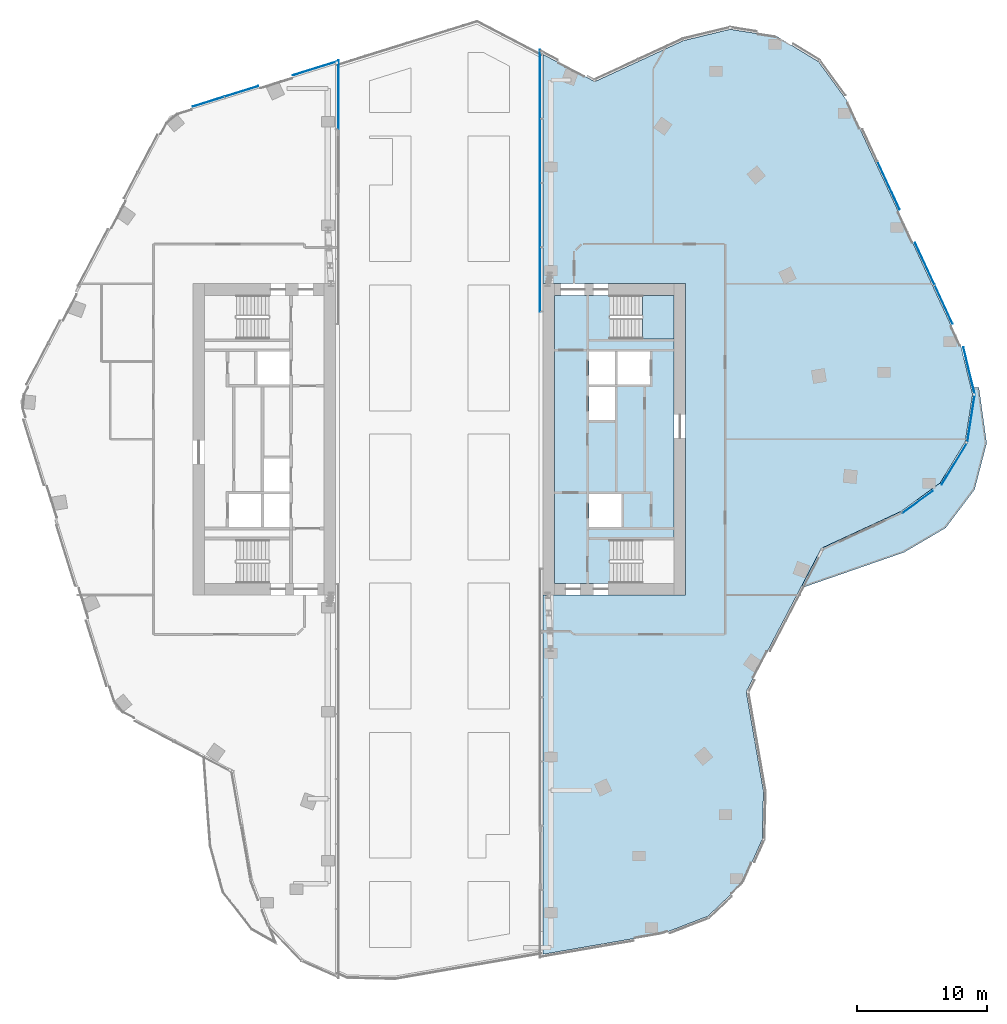
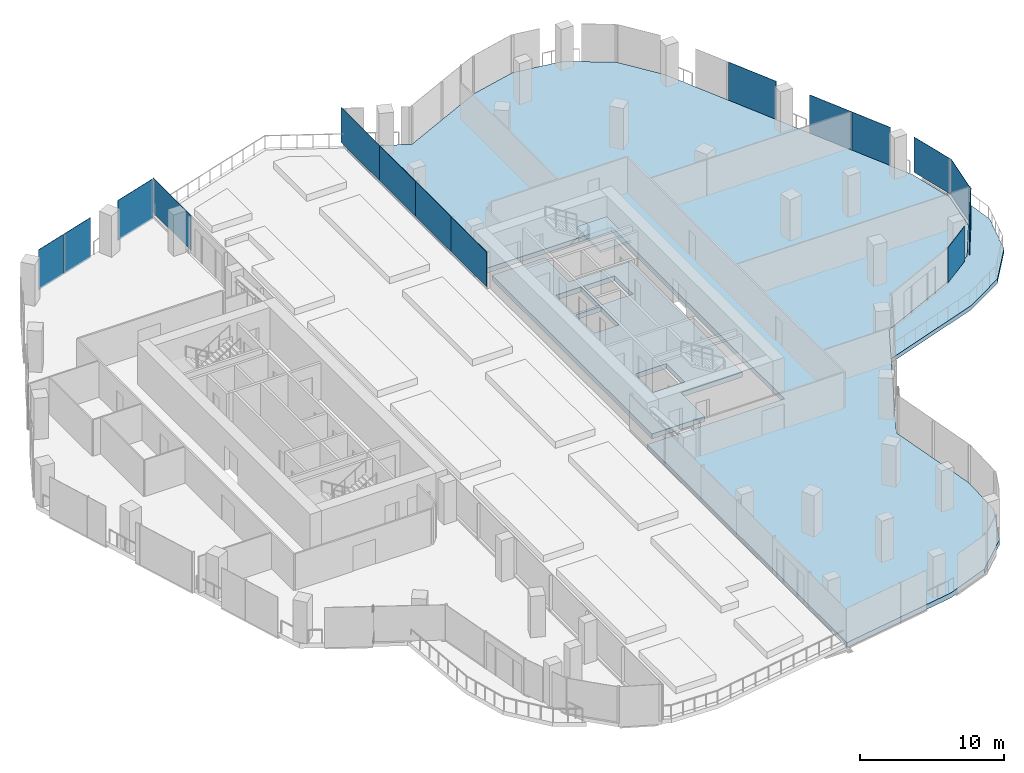
# One storey, part 17 of 26: 15 plates, 4 slabs, 9 elements without a shape of their own.
"""IFC4 building model written with IfcOpenShell, lengths in metres."""

from ifc_helpers import new_model, si_unit, direction, frame, origin, origin_2d, place, context, subcontext, project, spatial, polyline, rectangle, outline, extrude, material, layer, layer_set, type_object, element, aggregate, save


model = new_model("IFC4")

# Units and contexts
model_context = context("Model", 3, precision=1e-05, world=origin(), true_north=direction((0.0, 1.0)))
body_context = subcontext(model_context, "Body", "Model", "MODEL_VIEW")
ifc_project = project(units=[si_unit("LENGTHUNIT", "METRE"), si_unit("AREAUNIT", "SQUARE_METRE"), si_unit("VOLUMEUNIT", "CUBIC_METRE"), si_unit("PLANEANGLEUNIT", "RADIAN"), si_unit("MASSUNIT", "GRAM", prefix="KILO")], contexts=[model_context])

# Site, building, storey
site_placement = place(None, origin())
site = spatial("IfcSite", under=ifc_project, at=site_placement, CompositionType="ELEMENT")
building_placement = place(site_placement, origin())
building = spatial("IfcBuilding", under=site, at=building_placement, Name="Orlundy Tower", CompositionType="ELEMENT")
storey_placement = place(building_placement, frame((0.0, 0.0, 253.5)))
storey = spatial("IfcBuildingStorey", under=building, at=storey_placement, Name="L67", CompositionType="ELEMENT", Elevation=253.5)

# Curtain wall, plates
ifc_material_1 = material(Name="Aluminium bronze anodised", Category="aluminium")
curtain_wall_type = type_object("IfcCurtainWallType", Name="CW1 wall", PredefinedType="NOTDEFINED", material=ifc_material_1)
curtain_wall_1_placement = place(storey_placement, origin())
curtain_wall_1 = element("IfcCurtainWall", 1, at=curtain_wall_1_placement, inside=storey, type_object=curtain_wall_type, Name="CW1 run 03", PredefinedType="NOTDEFINED")
ifc_material_2 = material(Name="Tinted glass", Category="glass")
ifc_layer_1 = layer(ifc_material_2, 0.031982421875)
ifc_layer_set_1 = layer_set([ifc_layer_1], Name="CW1 glass panel 32")
plate_type_1 = type_object("IfcPlateType", Name="CW1 glass panel 32", PredefinedType="CURTAIN_PANEL", material=ifc_layer_set_1)
plate_1_placement = place(storey_placement, frame((-17.816162109375, 26.0380859375, -0.300048828125), z_axis=(0.0, 0.0, 1.0), x_axis=(0.954586077066, 0.297935263894, 0.0)))
plate_1 = element("IfcPlate", 2, at=plate_1_placement, type_object=plate_type_1, Name="CW1 panel", PredefinedType="CURTAIN_PANEL", context=body_context, shape_type="SweptSolid", body=[
    extrude(rectangle(XDim=2.53564453125, YDim=0.031982421875, at=origin_2d()), origin(), (0.0, 0.0, 1.0), 3.39990234375),
])
plate_2_placement = place(storey_placement, frame((-15.26904296875, 26.8330078125, -0.300048828125), z_axis=(0.0, 0.0, 1.0), x_axis=(0.954586077066, 0.297935263894, 0.0)))
plate_2 = element("IfcPlate", 3, at=plate_2_placement, type_object=plate_type_1, Name="CW1 panel", PredefinedType="CURTAIN_PANEL", context=body_context, shape_type="SweptSolid", body=[
    extrude(rectangle(XDim=2.701171875, YDim=0.031982421875, at=origin_2d()), origin(), (0.0, 0.0, 1.0), 3.39990234375),
])
plate_3_placement = place(storey_placement, frame((-9.56201171875, 28.6142578125, -0.300048828125), z_axis=(0.0, 0.0, 1.0), x_axis=(0.954586077066, 0.297935263894, 0.0)))
plate_3 = element("IfcPlate", 4, at=plate_3_placement, type_object=plate_type_1, Name="CW1 panel", PredefinedType="CURTAIN_PANEL", context=body_context, shape_type="SweptSolid", body=[
    extrude(rectangle(XDim=3.616455078125, YDim=0.031982421875, at=origin_2d()), origin(), (0.0, 0.0, 1.0), 3.39990234375),
])
aggregate(curtain_wall_1, [plate_1, plate_2, plate_3])

curtain_wall_2_placement = place(storey_placement, origin())
curtain_wall_2 = element("IfcCurtainWall", 5, at=curtain_wall_2_placement, inside=storey, type_object=curtain_wall_type, Name="CW1 run 15", PredefinedType="NOTDEFINED")
plate_4_placement = place(storey_placement, frame((34.65087890625, 19.5654296875, -0.300048828125), z_axis=(0.0, 0.0, 1.0), x_axis=(0.419960892154, -0.907542202358, 0.0)))
plate_4 = element("IfcPlate", 6, at=plate_4_placement, type_object=plate_type_1, Name="CW1 panel", PredefinedType="CURTAIN_PANEL", context=body_context, shape_type="SweptSolid", body=[
    extrude(rectangle(XDim=4.042236328125, YDim=0.031982421875, at=origin_2d()), origin(), (0.0, 0.0, 1.0), 3.39990234375),
])
plate_5_placement = place(storey_placement, frame((37.44384765625, 13.529541015625, -0.300048828125), z_axis=(0.0, 0.0, 1.0), x_axis=(0.419960892154, -0.907542202358, 0.0)))
plate_5 = element("IfcPlate", 7, at=plate_5_placement, type_object=plate_type_1, Name="CW1 panel", PredefinedType="CURTAIN_PANEL", context=body_context, shape_type="SweptSolid", body=[
    extrude(rectangle(XDim=3.555908203125, YDim=0.031982421875, at=origin_2d()), origin(), (0.0, 0.0, 1.0), 3.39990234375),
])
plate_6_placement = place(storey_placement, frame((38.893310546875, 10.397216796875, -0.300048828125), z_axis=(0.0, 0.0, 1.0), x_axis=(0.419960892154, -0.907542202358, 0.0)))
plate_6 = element("IfcPlate", 8, at=plate_6_placement, type_object=plate_type_1, Name="CW1 panel", PredefinedType="CURTAIN_PANEL", context=body_context, shape_type="SweptSolid", body=[
    extrude(rectangle(XDim=3.2470703125, YDim=0.031982421875, at=origin_2d()), origin(), (0.0, 0.0, 1.0), 3.39990234375),
])
aggregate(curtain_wall_2, [plate_4, plate_5, plate_6])

# Curtain wall, plate
curtain_wall_3_placement = place(storey_placement, origin())
curtain_wall_3 = element("IfcCurtainWall", 9, at=curtain_wall_3_placement, inside=storey, type_object=curtain_wall_type, Name="CW1 run 16", PredefinedType="NOTDEFINED")
plate_7_placement = place(storey_placement, frame((40.856689453125, 5.27685546875, 0.1201171875), z_axis=(0.0, 0.0, 1.0), x_axis=(0.234974556025, -0.972001521614, 0.0)))
plate_7 = element("IfcPlate", 10, at=plate_7_placement, type_object=plate_type_1, Name="CW1 panel", PredefinedType="CURTAIN_PANEL", context=body_context, shape_type="SweptSolid", body=[
    extrude(rectangle(XDim=3.73046875, YDim=0.031982421875, at=origin_2d()), origin(), (0.0, 0.0, 1.0), 2.97998046875),
])
aggregate(curtain_wall_3, [plate_7])

curtain_wall_4_placement = place(storey_placement, origin())
curtain_wall_4 = element("IfcCurtainWall", 11, at=curtain_wall_4_placement, inside=storey, type_object=curtain_wall_type, Name="CW1 run 17", PredefinedType="NOTDEFINED")
plate_8_placement = place(storey_placement, frame((41.00244140625, 1.6005859375, 0.1201171875), z_axis=(0.0, 0.0, 1.0), x_axis=(-0.15511748157, -0.987896030416, 0.0)))
plate_8 = element("IfcPlate", 12, at=plate_8_placement, type_object=plate_type_1, Name="CW1 panel", PredefinedType="CURTAIN_PANEL", context=body_context, shape_type="SweptSolid", body=[
    extrude(rectangle(XDim=3.772216796875, YDim=0.031982421875, at=origin_2d()), origin(), (0.0, 0.0, 1.0), 2.97998046875),
])
aggregate(curtain_wall_4, [plate_8])

curtain_wall_5_placement = place(storey_placement, origin())
curtain_wall_5 = element("IfcCurtainWall", 13, at=curtain_wall_5_placement, inside=storey, type_object=curtain_wall_type, Name="CW1 run 18", PredefinedType="NOTDEFINED")
plate_9_placement = place(storey_placement, frame((39.72705078125, -1.8720703125, 0.1201171875), z_axis=(0.0, 0.0, 1.0), x_axis=(-0.521264467859, -0.85339519248, 0.0)))
plate_9 = element("IfcPlate", 14, at=plate_9_placement, type_object=plate_type_1, Name="CW1 panel", PredefinedType="CURTAIN_PANEL", context=body_context, shape_type="SweptSolid", body=[
    extrude(rectangle(XDim=3.771484375, YDim=0.031982421875, at=origin_2d()), origin(), (0.0, 0.0, 1.0), 2.97998046875),
])
aggregate(curtain_wall_5, [plate_9])

curtain_wall_6_placement = place(storey_placement, origin())
curtain_wall_6 = element("IfcCurtainWall", 15, at=curtain_wall_6_placement, inside=storey, type_object=curtain_wall_type, Name="CW1 run 19", PredefinedType="NOTDEFINED")
plate_10_placement = place(storey_placement, frame((36.887939453125, -4.834228515625, 0.1201171875), z_axis=(0.0, 0.0, 1.0), x_axis=(-0.808117234179, -0.58902167687, 0.0)))
plate_10 = element("IfcPlate", 16, at=plate_10_placement, type_object=plate_type_1, Name="CW1 panel", PredefinedType="CURTAIN_PANEL", context=body_context, shape_type="SweptSolid", body=[
    extrude(rectangle(XDim=2.8662109375, YDim=0.031982421875, at=origin_2d()), origin(), (0.0, 0.0, 1.0), 2.97998046875),
])
aggregate(curtain_wall_6, [plate_10])

curtain_wall_7_placement = place(storey_placement, origin())
curtain_wall_7 = element("IfcCurtainWall", 17, at=curtain_wall_7_placement, inside=storey, type_object=curtain_wall_type, Name="CW1 run 04", PredefinedType="NOTDEFINED")
ifc_material_3 = material(Name="Tinted glass", Category="glass")
ifc_layer_2 = layer(ifc_material_3, 0.035888671875)
ifc_layer_set_2 = layer_set([ifc_layer_2], Name="CW6 glass panel 36")
plate_type_2 = type_object("IfcPlateType", Name="CW6 glass panel 36", PredefinedType="CURTAIN_PANEL", material=ifc_layer_set_2)
plate_11_placement = place(storey_placement, frame((-7.778076171875, 26.575439453125, 0.159912109375), z_axis=(0.0, 0.0, 1.0), x_axis=(0.0, -1.0, 0.0)))
plate_11 = element("IfcPlate", 18, at=plate_11_placement, type_object=plate_type_2, Name="CW6 panel", PredefinedType="CURTAIN_PANEL", context=body_context, shape_type="SweptSolid", body=[
    extrude(rectangle(XDim=5.312744140625, YDim=0.035888671875, at=origin_2d()), origin(), (0.0, 0.0, 1.0), 2.93994140625),
])
aggregate(curtain_wall_7, [plate_11])

# Curtain wall, plates
curtain_wall_8_placement = place(storey_placement, origin())
curtain_wall_8 = element("IfcCurtainWall", 19, at=curtain_wall_8_placement, inside=storey, type_object=curtain_wall_type, Name="CW1 run 118", PredefinedType="NOTDEFINED")
plate_12_placement = place(storey_placement, frame((7.778076171875, 12.330078125, 0.159912109375), z_axis=(0.0, 0.0, 1.0), x_axis=(0.0, 1.0, 0.0)))
plate_12 = element("IfcPlate", 20, at=plate_12_placement, type_object=plate_type_2, Name="CW6 panel", PredefinedType="CURTAIN_PANEL", context=body_context, shape_type="SweptSolid", body=[
    extrude(rectangle(XDim=4.956787109375, YDim=0.035888671875, at=origin_2d()), origin(), (0.0, 0.0, 1.0), 2.93994140625),
])
plate_13_placement = place(storey_placement, frame((7.778076171875, 17.286865234375, 0.159912109375), z_axis=(0.0, 0.0, 1.0), x_axis=(0.0, 1.0, 0.0)))
plate_13 = element("IfcPlate", 21, at=plate_13_placement, type_object=plate_type_2, Name="CW6 panel", PredefinedType="CURTAIN_PANEL", context=body_context, shape_type="SweptSolid", body=[
    extrude(rectangle(XDim=4.956787109375, YDim=0.035888671875, at=origin_2d()), origin(), (0.0, 0.0, 1.0), 2.93994140625),
])
plate_14_placement = place(storey_placement, frame((7.778076171875, 22.24365234375, 0.159912109375), z_axis=(0.0, 0.0, 1.0), x_axis=(0.0, 1.0, 0.0)))
plate_14 = element("IfcPlate", 22, at=plate_14_placement, type_object=plate_type_2, Name="CW6 panel", PredefinedType="CURTAIN_PANEL", context=body_context, shape_type="SweptSolid", body=[
    extrude(rectangle(XDim=4.956787109375, YDim=0.035888671875, at=origin_2d()), origin(), (0.0, 0.0, 1.0), 2.93994140625),
])
plate_15_placement = place(storey_placement, frame((7.778076171875, 27.384033203125, 0.159912109375), z_axis=(0.0, 0.0, 1.0), x_axis=(0.0, 1.0, 0.0)))
plate_15 = element("IfcPlate", 23, at=plate_15_placement, type_object=plate_type_2, Name="CW6 panel", PredefinedType="CURTAIN_PANEL", context=body_context, shape_type="SweptSolid", body=[
    extrude(rectangle(XDim=5.323974609375, YDim=0.035888671875, at=origin_2d()), origin(), (0.0, 0.0, 1.0), 2.93994140625),
])
aggregate(curtain_wall_8, [plate_12, plate_13, plate_14, plate_15])

# Slab
ifc_material_4 = material(Name="Concrete C50/60", Category="concrete")
ifc_layer_3 = layer(ifc_material_4, 0.419921875)
ifc_layer_set_3 = layer_set([ifc_layer_3], Name="Core Floor Slab 420")
slab_type_1 = type_object("IfcSlabType", Name="Core Floor Slab 420", PredefinedType="FLOOR", material=ifc_layer_set_3)
slab_1_placement = place(storey_placement, frame((0.0, 0.0, -0.419921875)))
element("IfcSlab", 24, at=slab_1_placement, inside=storey, type_object=slab_type_1, Name="Core floor E51", PredefinedType="FLOOR", context=body_context, shape_type="SweptSolid", body=[
    extrude(outline(polyline([(18.10009765625, -7.75), (13.14501953125, -7.75), (13.14501953125, -11.10009765625), (8.89990234375, -11.10009765625), (8.89990234375, 11.10009765625), (13.14501953125, 11.10009765625), (13.14501953125, 7.75), (18.10009765625, 7.75), (18.10009765625, -7.75)]), holes=[polyline([(13.5400390625, 4.22509765625), (13.5400390625, 6.77490234375), (11.5400390625, 6.77490234375), (11.5400390625, 4.22509765625), (13.5400390625, 4.22509765625)]), polyline([(13.739990234375, 4.22509765625), (16.239990234375, 4.22509765625), (16.239990234375, 6.77490234375), (13.739990234375, 6.77490234375), (13.739990234375, 4.22509765625)]), polyline([(11.5400390625, 4.02490234375), (11.5400390625, 1.47509765625), (13.5400390625, 1.47509765625), (13.5400390625, 4.02490234375), (11.5400390625, 4.02490234375)]), polyline([(14.0400390625, -4.22509765625), (11.5400390625, -4.22509765625), (11.5400390625, -6.77490234375), (14.0400390625, -6.77490234375), (14.0400390625, -4.22509765625)])]), origin(), (0.0, 0.0, 1.0), 0.419921875),
])

# Stair, slab
ifc_material_5 = material(Name="Concrete C50/60", Category="concrete")
stair_type = type_object("IfcStairType", Name="Exit Stair 20 risers", PredefinedType="HALF_TURN_STAIR", material=ifc_material_5)
stair_placement = place(storey_placement, origin())
stair = element("IfcStair", 25, at=stair_placement, inside=storey, type_object=stair_type, Name="L67 Exit Stair ST-E2", PredefinedType="HALF_TURN_STAIR")
ifc_material_6 = material(Name="Concrete C50/60", Category="concrete")
ifc_layer_4 = layer(ifc_material_6, 0.199951171875)
ifc_layer_set_4 = layer_set([ifc_layer_4], Name="Exit Stair Landing")
slab_type_2 = type_object("IfcSlabType", Name="Exit Stair Landing", PredefinedType="LANDING", material=ifc_layer_set_4)
slab_2_placement = place(storey_placement, frame((0.0, 0.0, 1.550048828125)))
slab_2 = element("IfcSlab", 26, at=slab_2_placement, type_object=slab_type_2, Name="ST-E2 landing 1", PredefinedType="LANDING", context=body_context, shape_type="SweptSolid", body=[
    extrude(outline(polyline([(15.659912109375, 7.75), (18.10009765625, 7.75), (18.10009765625, 11.10009765625), (15.659912109375, 11.10009765625), (15.659912109375, 7.75)])), origin(), (0.0, 0.0, 1.0), 0.199951171875),
])
aggregate(stair, [slab_2])

# Slabs
ifc_material_7 = material(Name="Concrete C45/55", Category="concrete")
ifc_layer_5 = layer(ifc_material_7, 0.35009765625)
ifc_layer_set_5 = layer_set([ifc_layer_5], Name="TERRACE SLAB 350 C45/55")
slab_type_3 = type_object("IfcSlabType", Name="TERRACE SLAB 350 C45/55", PredefinedType="ROOF", material=ifc_layer_set_5)
slab_3_placement = place(storey_placement, frame((0.0, 0.0, -0.35009765625)))
element("IfcSlab", 27, at=slab_3_placement, inside=storey, type_object=slab_type_3, Name="Terrace slab L67-1", PredefinedType="ROOF", context=body_context, shape_type="SweptSolid", body=[
    extrude(outline(polyline([(27.845947265625, -11.493896484375), (29.468994140625, -8.39990234375), (35.6259765625, -5.551025390625), (38.62109375, -3.367919921875), (40.552978515625, -0.205078125), (41.2109375, 3.990966796875), (41.616943359375, 3.987060546875), (42.212890625, -0.29296875), (41.280029296875, -3.8798828125), (39.0439453125, -6.8369140625), (35.847900390625, -8.714111328125), (27.845947265625, -11.493896484375)])), origin(), (0.0, 0.0, 1.0), 0.35009765625),
])
ifc_material_8 = material(Name="Concrete C45/55", Category="concrete")
ifc_layer_6 = layer(ifc_material_8, 0.419921875)
ifc_layer_set_6 = layer_set([ifc_layer_6], Name="TRANSFER FLOOR SLAB 420 C45/55")
slab_type_4 = type_object("IfcSlabType", Name="TRANSFER FLOOR SLAB 420 C45/55", PredefinedType="FLOOR", material=ifc_layer_set_6)
slab_4_placement = place(storey_placement, frame((0.0, 0.0, -0.419921875)))
element("IfcSlab", 28, at=slab_4_placement, inside=storey, type_object=slab_type_4, Name="Floor slab L67", PredefinedType="FLOOR", context=body_context, shape_type="SweptSolid", body=[
    extrude(outline(polyline([(18.825927734375, 30.75), (22.428955078125, 31.62109375), (26.091064453125, 31.0458984375), (29.2548828125, 29.114013671875), (31.43798828125, 26.117919921875), (40.257080078125, 7.06005859375), (41.1279296875, 3.45703125), (40.552978515625, -0.205078125), (38.62109375, -3.367919921875), (35.6259765625, -5.551025390625), (29.468994140625, -8.39990234375), (23.6708984375, -19.458984375), (25.0, -27.12890625), (24.908935546875, -30.833984375), (23.406005859375, -34.222900390625), (20.720947265625, -36.778076171875), (17.261962890625, -38.112060546875), (8.0, -39.717041015625), (8.0, -12.0), (19.0, -12.0), (19.0, 12.0), (8.0, 12.0), (8.0, 29.678955078125), (11.990966796875, 27.5869140625), (18.825927734375, 30.75)])), origin(), (0.0, 0.0, 1.0), 0.419921875),
])

save(model, "model.ifc")
